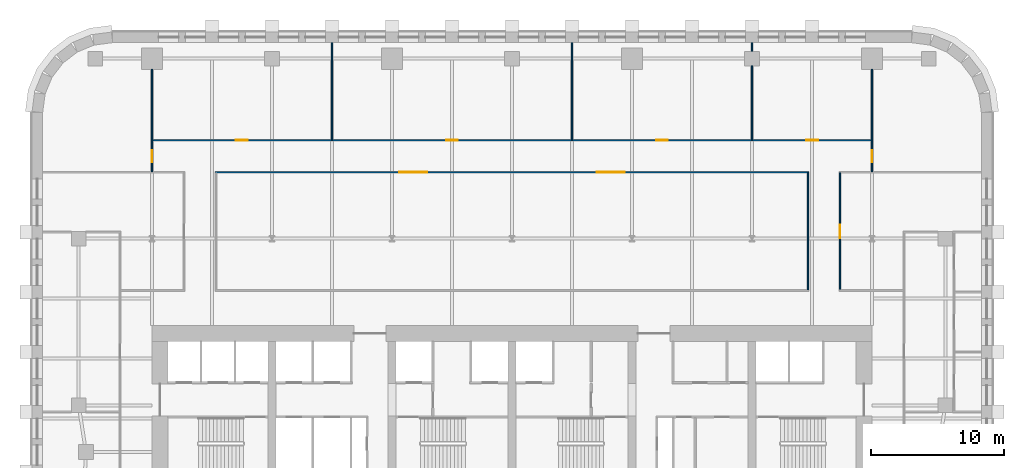
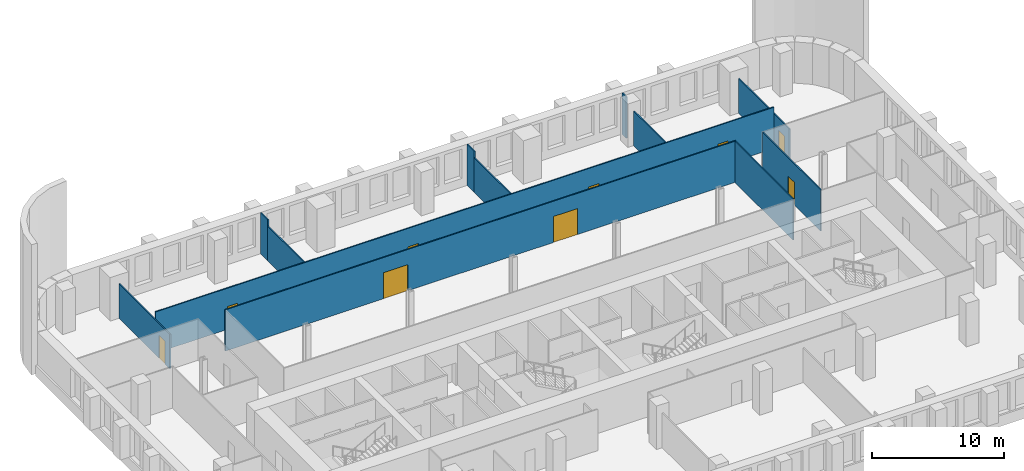
# One storey, part 7 of 12: 12 walls, 9 doors, 9 openings.
"""IFC4 building model written with IfcOpenShell, lengths in metres."""

from ifc_helpers import new_model, si_unit, direction, frame, frame_2d, origin, place, context, subcontext, project, spatial, rectangle, extrude, material, layer, layer_set, type_object, element, fill, save


model = new_model("IFC4")

# Units and contexts
model_context = context("Model", 3, precision=1e-05, world=origin(), true_north=direction((0.0, 1.0)))
body_context = subcontext(model_context, "Body", "Model", "MODEL_VIEW")
ifc_project = project(units=[si_unit("LENGTHUNIT", "METRE"), si_unit("AREAUNIT", "SQUARE_METRE"), si_unit("VOLUMEUNIT", "CUBIC_METRE"), si_unit("PLANEANGLEUNIT", "RADIAN"), si_unit("MASSUNIT", "GRAM", prefix="KILO")], contexts=[model_context])

# Site, building, storey
site_placement = place(None, origin())
site = spatial("IfcSite", under=ifc_project, at=site_placement, CompositionType="ELEMENT")
building_placement = place(site_placement, origin())
building = spatial("IfcBuilding", under=site, at=building_placement, Name="Zellij Exchange Tower", CompositionType="ELEMENT")
storey_placement = place(building_placement, frame((0.0, 0.0, 88.5)))
storey = spatial("IfcBuildingStorey", under=building, at=storey_placement, Name="L18", CompositionType="ELEMENT", Elevation=88.5)

# Wall
ifc_material_1 = material(Name="Gypsum board partition on steel studs", Category="steel")
ifc_layer = layer(ifc_material_1, 0.10009765625)
ifc_layer_set = layer_set([ifc_layer], Name="Gypsum board partition on steel studs")
wall_type = type_object("IfcWallType", Name="FIT-PARTITION-100", PredefinedType="PARTITIONING", material=ifc_layer_set)
wall_1_placement = place(storey_placement, frame((22.199951171875, 0.64990234375, 0.0), z_axis=(0.0, 0.0, 1.0), x_axis=(0.0, 1.0, 0.0)))
element("IfcWall", 1, at=wall_1_placement, inside=storey, type_object=wall_type, Name="FIT-PARTITION-100 028", PredefinedType="PARTITIONING", context=body_context, shape_type="SweptSolid", body=[
    extrude(rectangle(XDim=8.780029296875, YDim=0.10009765625, at=frame_2d((4.39013671875, 0.0))), origin(), (0.0, 0.0, 1.0), 3.800048828125),
])

# Wall, opening, door
wall_2_placement = place(storey_placement, frame((24.60009765625, 0.64990234375, 0.0), z_axis=(0.0, 0.0, 1.0), x_axis=(0.0, 1.0, 0.0)))
wall_2 = element("IfcWall", 2, at=wall_2_placement, inside=storey, type_object=wall_type, Name="FIT-PARTITION-100 030", PredefinedType="PARTITIONING", context=body_context, shape_type="SweptSolid", body=[
    extrude(rectangle(XDim=8.780029296875, YDim=0.10009765625, at=frame_2d((4.39013671875, 0.0))), origin(), (0.0, 0.0, 1.0), 3.800048828125),
])
opening_1_placement = place(wall_2_placement, frame((3.89990234375, 0.0, 0.0)))
opening_1 = element("IfcOpeningElement", 3, at=opening_1_placement, cuts=wall_2, Name="Opening TD.11", PredefinedType="OPENING", context=body_context, shape_type="SweptSolid", body=[
    extrude(rectangle(XDim=1.0, YDim=2.10009765625, at=frame_2d((0.5, 1.050048828125))), frame((0.0, 0.06201171875, 0.0), z_axis=(0.0, -1.0, 0.0), x_axis=(1.0, 0.0, 0.0)), (0.0, 0.0, 1.0), 0.1240234375),
])
ifc_material_2 = material(Name="Timber door set", Category="wood")
door_type_1 = type_object("IfcDoorType", Name="FIT-D2-WIDE-1000X2100", OperationType="SINGLE_SWING_LEFT", PredefinedType="DOOR", material=ifc_material_2)
door_1_placement = place(opening_1_placement, origin())
door_1 = element("IfcDoor", 4, at=door_1_placement, inside=storey, type_object=door_type_1, Name="Door TD.11", OperationType="SINGLE_SWING_RIGHT", OverallHeight=2.10009765625, OverallWidth=1.0, PredefinedType="DOOR", context=body_context, shape_type="SweptSolid", body=[
    extrude(rectangle(XDim=1.0, YDim=2.10009765625, at=frame_2d((0.5, 1.050048828125))), frame((0.0, 0.02490234375, 0.0), z_axis=(0.0, -1.0, 0.0), x_axis=(1.0, 0.0, 0.0)), (0.0, 0.0, 1.0), 0.050048828125),
])
fill(opening_1, door_1)

wall_3_placement = place(storey_placement, frame((-27.0, 9.530029296875, 0.0), z_axis=(0.0, 0.0, 1.0), x_axis=(0.0, 1.0, 0.0)))
wall_3 = element("IfcWall", 5, at=wall_3_placement, inside=storey, type_object=wall_type, Name="FIT-PARTITION-100 036", PredefinedType="PARTITIONING", context=body_context, shape_type="SweptSolid", body=[
    extrude(rectangle(XDim=7.669921875, YDim=0.10009765625, at=frame_2d((3.8349609375, 0.0))), origin(), (0.0, 0.0, 1.0), 3.18798828125),
])
opening_2_placement = place(wall_3_placement, frame((0.699951171875, 0.0, 0.0)))
opening_2 = element("IfcOpeningElement", 6, at=opening_2_placement, cuts=wall_3, Name="Opening TD.14", PredefinedType="OPENING", context=body_context, shape_type="SweptSolid", body=[
    extrude(rectangle(XDim=0.89990234375, YDim=2.10009765625, at=frame_2d((0.449951171875, 1.050048828125))), frame((0.0, 0.06201171875, 0.0), z_axis=(0.0, -1.0, 0.0), x_axis=(1.0, 0.0, 0.0)), (0.0, 0.0, 1.0), 0.1240234375),
])
door_type_2 = type_object("IfcDoorType", Name="FIT-D1-ROOM-900X2100", OperationType="SINGLE_SWING_LEFT", PredefinedType="DOOR", material=ifc_material_2)
door_2_placement = place(opening_2_placement, origin())
door_2 = element("IfcDoor", 7, at=door_2_placement, inside=storey, type_object=door_type_2, Name="Door TD.14", OperationType="SINGLE_SWING_RIGHT", OverallHeight=2.10009765625, OverallWidth=0.89990234375, PredefinedType="DOOR", context=body_context, shape_type="SweptSolid", body=[
    extrude(rectangle(XDim=0.89990234375, YDim=2.10009765625, at=frame_2d((0.449951171875, 1.050048828125))), frame((0.0, 0.02490234375, 0.0), z_axis=(0.0, -1.0, 0.0), x_axis=(1.0, 0.0, 0.0)), (0.0, 0.0, 1.0), 0.050048828125),
])
fill(opening_2, door_2)

# Wall, openings, doors
wall_4_placement = place(storey_placement, frame((-22.25, 9.47998046875, 0.0), z_axis=(0.0, 0.0, 1.0), x_axis=(1.0, 0.0, 0.0)))
wall_4 = element("IfcWall", 8, at=wall_4_placement, inside=storey, type_object=wall_type, Name="FIT-PARTITION-100 037", PredefinedType="PARTITIONING", context=body_context, shape_type="SweptSolid", body=[
    extrude(rectangle(XDim=44.5, YDim=0.10009765625, at=frame_2d((22.25, 0.0))), origin(), (0.0, 0.0, 1.0), 3.800048828125),
])
opening_3_placement = place(wall_4_placement, frame((13.800048828125, 0.0, 0.0)))
opening_3 = element("IfcOpeningElement", 9, at=opening_3_placement, cuts=wall_4, Name="Opening TD.12", PredefinedType="OPENING", context=body_context, shape_type="SweptSolid", body=[
    extrude(rectangle(XDim=2.10009765625, YDim=2.39990234375, at=frame_2d((1.050048828125, 1.199951171875))), frame((0.0, 0.06201171875, 0.0), z_axis=(0.0, -1.0, 0.0), x_axis=(1.0, 0.0, 0.0)), (0.0, 0.0, 1.0), 0.1240234375),
])
opening_4_placement = place(wall_4_placement, frame((28.60009765625, 0.0, 0.0)))
opening_4 = element("IfcOpeningElement", 10, at=opening_4_placement, cuts=wall_4, Name="Opening TD.13", PredefinedType="OPENING", context=body_context, shape_type="SweptSolid", body=[
    extrude(rectangle(XDim=2.10009765625, YDim=2.39990234375, at=frame_2d((1.050048828125, 1.199951171875))), frame((0.0, 0.06201171875, 0.0), z_axis=(0.0, -1.0, 0.0), x_axis=(1.0, 0.0, 0.0)), (0.0, 0.0, 1.0), 0.1240234375),
])
door_type_3 = type_object("IfcDoorType", Name="FIT-D7-ASSEMBLY-2100X2400", OperationType="DOUBLE_DOOR_SINGLE_SWING", PredefinedType="DOOR", material=ifc_material_2)
door_3_placement = place(opening_3_placement, origin())
door_3 = element("IfcDoor", 11, at=door_3_placement, inside=storey, type_object=door_type_3, Name="Door TD.12", OperationType="DOUBLE_DOOR_SINGLE_SWING", OverallHeight=2.39990234375, OverallWidth=2.10009765625, PredefinedType="DOOR", context=body_context, shape_type="SweptSolid", body=[
    extrude(rectangle(XDim=2.10009765625, YDim=2.39990234375, at=frame_2d((1.050048828125, 1.199951171875))), frame((0.0, 0.02490234375, 0.0), z_axis=(0.0, -1.0, 0.0), x_axis=(1.0, 0.0, 0.0)), (0.0, 0.0, 1.0), 0.050048828125),
])
fill(opening_3, door_3)
door_4_placement = place(opening_4_placement, origin())
door_4 = element("IfcDoor", 12, at=door_4_placement, inside=storey, type_object=door_type_3, Name="Door TD.13", OperationType="DOUBLE_DOOR_SINGLE_SWING", OverallHeight=2.39990234375, OverallWidth=2.10009765625, PredefinedType="DOOR", context=body_context, shape_type="SweptSolid", body=[
    extrude(rectangle(XDim=2.10009765625, YDim=2.39990234375, at=frame_2d((1.050048828125, 1.199951171875))), frame((0.0, 0.02490234375, 0.0), z_axis=(0.0, -1.0, 0.0), x_axis=(1.0, 0.0, 0.0)), (0.0, 0.0, 1.0), 0.050048828125),
])
fill(opening_4, door_4)

# Wall, opening, door
wall_5_placement = place(storey_placement, frame((27.0, 9.530029296875, 0.0), z_axis=(0.0, 0.0, 1.0), x_axis=(0.0, 1.0, 0.0)))
wall_5 = element("IfcWall", 13, at=wall_5_placement, inside=storey, type_object=wall_type, Name="FIT-PARTITION-100 039", PredefinedType="PARTITIONING", context=body_context, shape_type="SweptSolid", body=[
    extrude(rectangle(XDim=7.669921875, YDim=0.10009765625, at=frame_2d((3.8349609375, 0.0))), origin(), (0.0, 0.0, 1.0), 3.18798828125),
])
opening_5_placement = place(wall_5_placement, frame((0.699951171875, 0.0, 0.0)))
opening_5 = element("IfcOpeningElement", 14, at=opening_5_placement, cuts=wall_5, Name="Opening TD.15", PredefinedType="OPENING", context=body_context, shape_type="SweptSolid", body=[
    extrude(rectangle(XDim=0.89990234375, YDim=2.10009765625, at=frame_2d((0.449951171875, 1.050048828125))), frame((0.0, 0.06201171875, 0.0), z_axis=(0.0, -1.0, 0.0), x_axis=(1.0, 0.0, 0.0)), (0.0, 0.0, 1.0), 0.1240234375),
])
door_5_placement = place(opening_5_placement, origin())
door_5 = element("IfcDoor", 15, at=door_5_placement, inside=storey, type_object=door_type_2, Name="Door TD.15", OperationType="SINGLE_SWING_LEFT", OverallHeight=2.10009765625, OverallWidth=0.89990234375, PredefinedType="DOOR", context=body_context, shape_type="SweptSolid", body=[
    extrude(rectangle(XDim=0.89990234375, YDim=2.10009765625, at=frame_2d((0.449951171875, 1.050048828125))), frame((0.0, 0.02490234375, 0.0), z_axis=(0.0, -1.0, 0.0), x_axis=(1.0, 0.0, 0.0)), (0.0, 0.0, 1.0), 0.050048828125),
])
fill(opening_5, door_5)

# Wall, openings, doors
wall_6_placement = place(storey_placement, frame((-26.949951171875, 11.8798828125, 0.0), z_axis=(0.0, 0.0, 1.0), x_axis=(1.0, 0.0, 0.0)))
wall_6 = element("IfcWall", 16, at=wall_6_placement, inside=storey, type_object=wall_type, Name="FIT-PARTITION-100 040", PredefinedType="PARTITIONING", context=body_context, shape_type="SweptSolid", body=[
    extrude(rectangle(XDim=53.89990234375, YDim=0.10009765625, at=frame_2d((26.949951171875, 0.0))), origin(), (0.0, 0.0, 1.0), 3.800048828125),
])
opening_6_placement = place(wall_6_placement, frame((6.25, 0.0, 0.0)))
opening_6 = element("IfcOpeningElement", 17, at=opening_6_placement, cuts=wall_6, Name="Opening TD.16", PredefinedType="OPENING", context=body_context, shape_type="SweptSolid", body=[
    extrude(rectangle(XDim=0.89990234375, YDim=2.10009765625, at=frame_2d((0.449951171875, 1.050048828125))), frame((0.0, 0.06201171875, 0.0), z_axis=(0.0, -1.0, 0.0), x_axis=(1.0, 0.0, 0.0)), (0.0, 0.0, 1.0), 0.1240234375),
])
opening_7_placement = place(wall_6_placement, frame((22.0, 0.0, 0.0)))
opening_7 = element("IfcOpeningElement", 18, at=opening_7_placement, cuts=wall_6, Name="Opening TD.17", PredefinedType="OPENING", context=body_context, shape_type="SweptSolid", body=[
    extrude(rectangle(XDim=0.89990234375, YDim=2.10009765625, at=frame_2d((0.449951171875, 1.050048828125))), frame((0.0, 0.06201171875, 0.0), z_axis=(0.0, -1.0, 0.0), x_axis=(1.0, 0.0, 0.0)), (0.0, 0.0, 1.0), 0.1240234375),
])
opening_8_placement = place(wall_6_placement, frame((37.75, 0.0, 0.0)))
opening_8 = element("IfcOpeningElement", 19, at=opening_8_placement, cuts=wall_6, Name="Opening TD.18", PredefinedType="OPENING", context=body_context, shape_type="SweptSolid", body=[
    extrude(rectangle(XDim=0.89990234375, YDim=2.10009765625, at=frame_2d((0.449951171875, 1.050048828125))), frame((0.0, 0.06201171875, 0.0), z_axis=(0.0, -1.0, 0.0), x_axis=(1.0, 0.0, 0.0)), (0.0, 0.0, 1.0), 0.1240234375),
])
opening_9_placement = place(wall_6_placement, frame((49.0, 0.0, 0.0)))
opening_9 = element("IfcOpeningElement", 20, at=opening_9_placement, cuts=wall_6, Name="Opening TD.19", PredefinedType="OPENING", context=body_context, shape_type="SweptSolid", body=[
    extrude(rectangle(XDim=0.89990234375, YDim=2.10009765625, at=frame_2d((0.449951171875, 1.050048828125))), frame((0.0, 0.06201171875, 0.0), z_axis=(0.0, -1.0, 0.0), x_axis=(1.0, 0.0, 0.0)), (0.0, 0.0, 1.0), 0.1240234375),
])
door_6_placement = place(opening_6_placement, origin())
door_6 = element("IfcDoor", 21, at=door_6_placement, inside=storey, type_object=door_type_2, Name="Door TD.16", OperationType="SINGLE_SWING_RIGHT", OverallHeight=2.10009765625, OverallWidth=0.89990234375, PredefinedType="DOOR", context=body_context, shape_type="SweptSolid", body=[
    extrude(rectangle(XDim=0.89990234375, YDim=2.10009765625, at=frame_2d((0.449951171875, 1.050048828125))), frame((0.0, 0.02490234375, 0.0), z_axis=(0.0, -1.0, 0.0), x_axis=(1.0, 0.0, 0.0)), (0.0, 0.0, 1.0), 0.050048828125),
])
fill(opening_6, door_6)
door_7_placement = place(opening_7_placement, origin())
door_7 = element("IfcDoor", 22, at=door_7_placement, inside=storey, type_object=door_type_2, Name="Door TD.17", OperationType="SINGLE_SWING_RIGHT", OverallHeight=2.10009765625, OverallWidth=0.89990234375, PredefinedType="DOOR", context=body_context, shape_type="SweptSolid", body=[
    extrude(rectangle(XDim=0.89990234375, YDim=2.10009765625, at=frame_2d((0.449951171875, 1.050048828125))), frame((0.0, 0.02490234375, 0.0), z_axis=(0.0, -1.0, 0.0), x_axis=(1.0, 0.0, 0.0)), (0.0, 0.0, 1.0), 0.050048828125),
])
fill(opening_7, door_7)
door_8_placement = place(opening_8_placement, origin())
door_8 = element("IfcDoor", 23, at=door_8_placement, inside=storey, type_object=door_type_2, Name="Door TD.18", OperationType="SINGLE_SWING_RIGHT", OverallHeight=2.10009765625, OverallWidth=0.89990234375, PredefinedType="DOOR", context=body_context, shape_type="SweptSolid", body=[
    extrude(rectangle(XDim=0.89990234375, YDim=2.10009765625, at=frame_2d((0.449951171875, 1.050048828125))), frame((0.0, 0.02490234375, 0.0), z_axis=(0.0, -1.0, 0.0), x_axis=(1.0, 0.0, 0.0)), (0.0, 0.0, 1.0), 0.050048828125),
])
fill(opening_8, door_8)
door_9_placement = place(opening_9_placement, origin())
door_9 = element("IfcDoor", 24, at=door_9_placement, inside=storey, type_object=door_type_2, Name="Door TD.19", OperationType="SINGLE_SWING_RIGHT", OverallHeight=2.10009765625, OverallWidth=0.89990234375, PredefinedType="DOOR", context=body_context, shape_type="SweptSolid", body=[
    extrude(rectangle(XDim=0.89990234375, YDim=2.10009765625, at=frame_2d((0.449951171875, 1.050048828125))), frame((0.0, 0.02490234375, 0.0), z_axis=(0.0, -1.0, 0.0), x_axis=(1.0, 0.0, 0.0)), (0.0, 0.0, 1.0), 0.050048828125),
])
fill(opening_9, door_9)

# Walls
wall_7_placement = place(storey_placement, frame((-13.5, 11.929931640625, 0.0), z_axis=(0.0, 0.0, 1.0), x_axis=(0.0, 1.0, 0.0)))
element("IfcWall", 25, at=wall_7_placement, inside=storey, type_object=wall_type, Name="FIT-PARTITION-100 041", PredefinedType="PARTITIONING", context=body_context, shape_type="SweptSolid", body=[
    extrude(rectangle(XDim=6.1845703125, YDim=0.10009765625, at=frame_2d((3.09228515625, 0.0))), origin(), (0.0, 0.0, 1.0), 3.197998046875),
])
wall_8_placement = place(storey_placement, frame((-13.5, 18.114501953125, 0.0), z_axis=(0.0, 0.0, 1.0), x_axis=(0.0, 1.0, 0.0)))
element("IfcWall", 26, at=wall_8_placement, inside=storey, type_object=wall_type, Name="FIT-PARTITION-100 042", PredefinedType="PARTITIONING", context=body_context, shape_type="SweptSolid", body=[
    extrude(rectangle(XDim=1.08544921875, YDim=0.10009765625, at=frame_2d((0.542724609375, 0.0))), origin(), (0.0, 0.0, 1.0), 3.800048828125),
])
wall_9_placement = place(storey_placement, frame((4.5, 11.929931640625, 0.0), z_axis=(0.0, 0.0, 1.0), x_axis=(0.0, 1.0, 0.0)))
element("IfcWall", 27, at=wall_9_placement, inside=storey, type_object=wall_type, Name="FIT-PARTITION-100 043", PredefinedType="PARTITIONING", context=body_context, shape_type="SweptSolid", body=[
    extrude(rectangle(XDim=6.1845703125, YDim=0.10009765625, at=frame_2d((3.09228515625, 0.0))), origin(), (0.0, 0.0, 1.0), 3.197998046875),
])
wall_10_placement = place(storey_placement, frame((4.5, 18.114501953125, 0.0), z_axis=(0.0, 0.0, 1.0), x_axis=(0.0, 1.0, 0.0)))
element("IfcWall", 28, at=wall_10_placement, inside=storey, type_object=wall_type, Name="FIT-PARTITION-100 044", PredefinedType="PARTITIONING", context=body_context, shape_type="SweptSolid", body=[
    extrude(rectangle(XDim=1.08544921875, YDim=0.10009765625, at=frame_2d((0.542724609375, 0.0))), origin(), (0.0, 0.0, 1.0), 3.800048828125),
])
wall_11_placement = place(storey_placement, frame((18.0, 11.929931640625, 0.0), z_axis=(0.0, 0.0, 1.0), x_axis=(0.0, 1.0, 0.0)))
element("IfcWall", 29, at=wall_11_placement, inside=storey, type_object=wall_type, Name="FIT-PARTITION-100 045", PredefinedType="PARTITIONING", context=body_context, shape_type="SweptSolid", body=[
    extrude(rectangle(XDim=5.52001953125, YDim=0.10009765625, at=frame_2d((2.760009765625, 0.0))), origin(), (0.0, 0.0, 1.0), 3.18798828125),
])
wall_12_placement = place(storey_placement, frame((18.0, 18.550048828125, 0.0), z_axis=(0.0, 0.0, 1.0), x_axis=(0.0, 1.0, 0.0)))
element("IfcWall", 30, at=wall_12_placement, inside=storey, type_object=wall_type, Name="FIT-PARTITION-100 046", PredefinedType="PARTITIONING", context=body_context, shape_type="SweptSolid", body=[
    extrude(rectangle(XDim=0.64990234375, YDim=0.10009765625, at=frame_2d((0.324951171875, 0.0))), origin(), (0.0, 0.0, 1.0), 3.800048828125),
])

save(model, "model.ifc")
